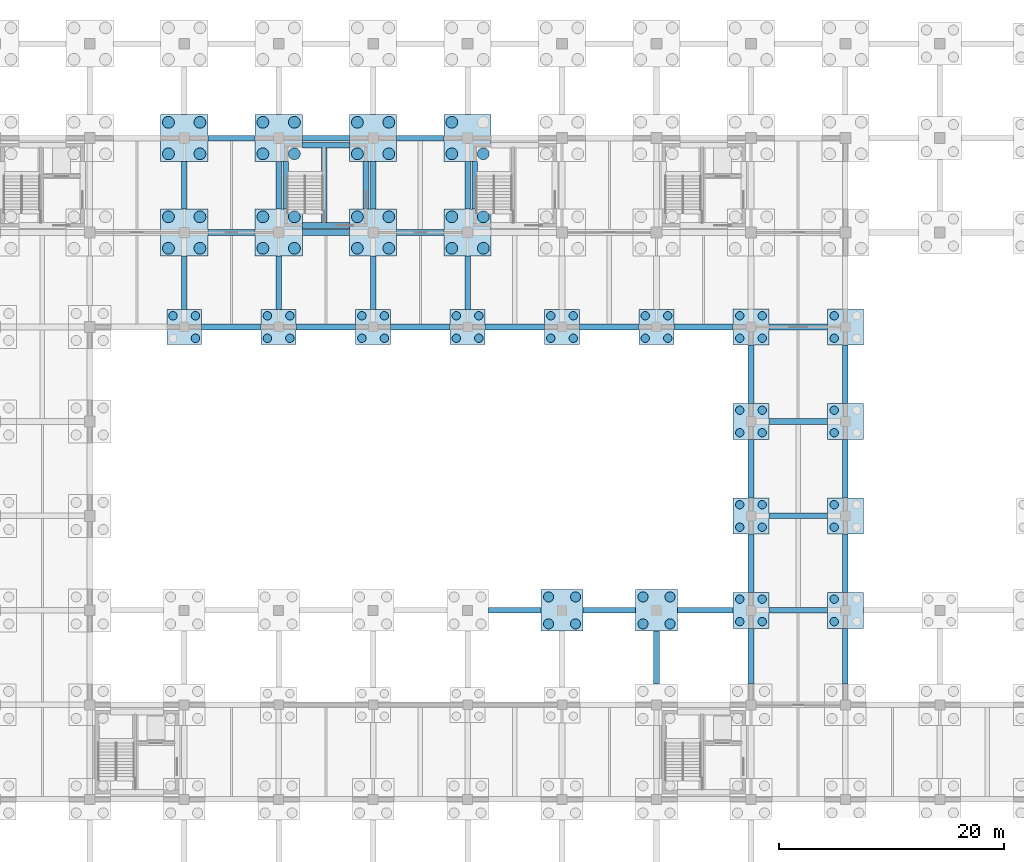
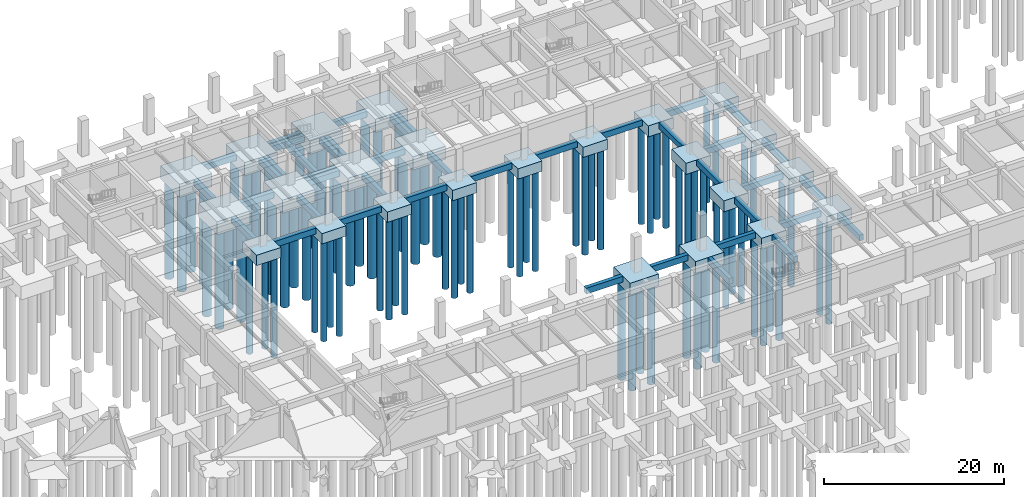
# One storey, part 7 of 29: 86 piles, 66 footings.
"""IFC4 building model written with IfcOpenShell, lengths in metres."""

from ifc_helpers import new_model, si_unit, direction, frame, origin, origin_2d, place, context, subcontext, project, spatial, rectangle, circle, extrude, material, material_profile, profile_set, type_object, element, save


model = new_model("IFC4")

# Units and contexts
model_context = context("Model", 3, precision=1e-05, world=origin(), true_north=direction((0.0, 1.0)))
body_context = subcontext(model_context, "Body", "Model", "MODEL_VIEW")
ifc_project = project(units=[si_unit("LENGTHUNIT", "METRE"), si_unit("AREAUNIT", "SQUARE_METRE"), si_unit("VOLUMEUNIT", "CUBIC_METRE"), si_unit("PLANEANGLEUNIT", "RADIAN"), si_unit("MASSUNIT", "GRAM", prefix="KILO")], contexts=[model_context])

# Site, building, storey
site_placement = place(None, origin())
site = spatial("IfcSite", under=ifc_project, at=site_placement, CompositionType="ELEMENT")
building_placement = place(site_placement, origin())
building = spatial("IfcBuilding", under=site, at=building_placement, Name="Porcellanite Civic Hall", CompositionType="ELEMENT")
storey_placement = place(building_placement, frame((0.0, 0.0, -4.5)))
storey = spatial("IfcBuildingStorey", under=building, at=storey_placement, Name="B1", CompositionType="ELEMENT", Elevation=-4.5)

# Footings
ifc_material_1 = material(Name="Concrete N40 (40 MPa)", Category="concrete")
ifc_material_profile_1 = material_profile(ifc_material_1, rectangle(XDim=0.5, YDim=0.800048828125, at=origin_2d()), Name="RC-500x800")
ifc_profile_set_1 = profile_set([ifc_material_profile_1], Name="Concrete N40 (40 MPa)")
footing_type_1 = type_object("IfcFootingType", Name="GB-01", PredefinedType="FOOTING_BEAM", material=ifc_profile_set_1)
footing_1_placement = place(storey_placement, frame((68.75, 92.39990234375, -0.75), z_axis=(1.0, 0.0, 0.0), x_axis=(0.0, 1.0, 0.0)))
element("IfcFooting", 1, at=footing_1_placement, inside=storey, type_object=footing_type_1, Name="Ground tie beam B1 8-11 X", PredefinedType="FOOTING_BEAM", context=body_context, shape_type="SweptSolid", body=[
    extrude(rectangle(XDim=0.5, YDim=0.800048828125, at=origin_2d()), origin(), (0.0, 0.0, 1.0), 5.300048828125),
])
footing_2_placement = place(storey_placement, frame((67.199951171875, 93.949951171875, -0.75), z_axis=(0.0, 1.0, 0.0), x_axis=(-1.0, 0.0, 0.0)))
element("IfcFooting", 2, at=footing_2_placement, inside=storey, type_object=footing_type_1, Name="Ground tie beam B1 8-11 Y", PredefinedType="FOOTING_BEAM", context=body_context, shape_type="SweptSolid", body=[
    extrude(rectangle(XDim=0.5, YDim=0.800048828125, at=origin_2d()), origin(), (0.0, 0.0, 1.0), 4.75),
])
footing_3_placement = place(storey_placement, frame((69.300048828125, 100.800048828125, -0.75), z_axis=(1.0, 0.0, 0.0), x_axis=(0.0, 1.0, 0.0)))
element("IfcFooting", 3, at=footing_3_placement, inside=storey, type_object=footing_type_1, Name="Ground tie beam B1 8-12 X", PredefinedType="FOOTING_BEAM", context=body_context, shape_type="SweptSolid", body=[
    extrude(rectangle(XDim=0.5, YDim=0.800048828125, at=origin_2d()), origin(), (0.0, 0.0, 1.0), 4.199951171875),
])
footing_4_placement = place(storey_placement, frame((67.199951171875, 102.89990234375, -0.75), z_axis=(0.0, 1.0, 0.0), x_axis=(-1.0, 0.0, 0.0)))
element("IfcFooting", 4, at=footing_4_placement, inside=storey, type_object=footing_type_1, Name="Ground tie beam B1 8-12 Y", PredefinedType="FOOTING_BEAM", context=body_context, shape_type="SweptSolid", body=[
    extrude(rectangle(XDim=0.5, YDim=0.800048828125, at=origin_2d()), origin(), (0.0, 0.0, 1.0), 4.2001953125),
])
footing_5_placement = place(storey_placement, frame((69.300048828125, 109.199951171875, -0.75), z_axis=(1.0, 0.0, 0.0), x_axis=(0.0, 1.0, 0.0)))
element("IfcFooting", 5, at=footing_5_placement, inside=storey, type_object=footing_type_1, Name="Ground tie beam B1 8-13 X", PredefinedType="FOOTING_BEAM", context=body_context, shape_type="SweptSolid", body=[
    extrude(rectangle(XDim=0.5, YDim=0.800048828125, at=origin_2d()), origin(), (0.0, 0.0, 1.0), 4.199951171875),
])
footing_6_placement = place(storey_placement, frame((77.14990234375, 92.39990234375, -0.75), z_axis=(1.0, 0.0, 0.0), x_axis=(0.0, 1.0, 0.0)))
element("IfcFooting", 6, at=footing_6_placement, inside=storey, type_object=footing_type_1, Name="Ground tie beam B1 9-11 X", PredefinedType="FOOTING_BEAM", context=body_context, shape_type="SweptSolid", body=[
    extrude(rectangle(XDim=0.5, YDim=0.800048828125, at=origin_2d()), origin(), (0.0, 0.0, 1.0), 5.300048828125),
])
footing_7_placement = place(storey_placement, frame((75.60009765625, 93.949951171875, -0.75), z_axis=(0.0, 1.0, 0.0), x_axis=(-1.0, 0.0, 0.0)))
element("IfcFooting", 7, at=footing_7_placement, inside=storey, type_object=footing_type_1, Name="Ground tie beam B1 9-11 Y", PredefinedType="FOOTING_BEAM", context=body_context, shape_type="SweptSolid", body=[
    extrude(rectangle(XDim=0.5, YDim=0.800048828125, at=origin_2d()), origin(), (0.0, 0.0, 1.0), 4.75),
])
footing_8_placement = place(storey_placement, frame((77.699951171875, 100.800048828125, -0.75), z_axis=(1.0, 0.0, 0.0), x_axis=(0.0, 1.0, 0.0)))
element("IfcFooting", 8, at=footing_8_placement, inside=storey, type_object=footing_type_1, Name="Ground tie beam B1 9-12 X", PredefinedType="FOOTING_BEAM", context=body_context, shape_type="SweptSolid", body=[
    extrude(rectangle(XDim=0.5, YDim=0.800048828125, at=origin_2d()), origin(), (0.0, 0.0, 1.0), 4.199951171875),
])
footing_9_placement = place(storey_placement, frame((75.60009765625, 102.89990234375, -0.75), z_axis=(0.0, 1.0, 0.0), x_axis=(-1.0, 0.0, 0.0)))
element("IfcFooting", 9, at=footing_9_placement, inside=storey, type_object=footing_type_1, Name="Ground tie beam B1 9-12 Y", PredefinedType="FOOTING_BEAM", context=body_context, shape_type="SweptSolid", body=[
    extrude(rectangle(XDim=0.5, YDim=0.800048828125, at=origin_2d()), origin(), (0.0, 0.0, 1.0), 4.2001953125),
])
footing_10_placement = place(storey_placement, frame((77.699951171875, 109.199951171875, -0.75), z_axis=(1.0, 0.0, 0.0), x_axis=(0.0, 1.0, 0.0)))
element("IfcFooting", 10, at=footing_10_placement, inside=storey, type_object=footing_type_1, Name="Ground tie beam B1 9-13 X", PredefinedType="FOOTING_BEAM", context=body_context, shape_type="SweptSolid", body=[
    extrude(rectangle(XDim=0.5, YDim=0.800048828125, at=origin_2d()), origin(), (0.0, 0.0, 1.0), 4.199951171875),
])
footing_11_placement = place(storey_placement, frame((85.550048828125, 92.39990234375, -0.75), z_axis=(1.0, 0.0, 0.0), x_axis=(0.0, 1.0, 0.0)))
element("IfcFooting", 11, at=footing_11_placement, inside=storey, type_object=footing_type_1, Name="Ground tie beam B1 10-11 X", PredefinedType="FOOTING_BEAM", context=body_context, shape_type="SweptSolid", body=[
    extrude(rectangle(XDim=0.5, YDim=0.800048828125, at=origin_2d()), origin(), (0.0, 0.0, 1.0), 5.300048828125),
])
footing_12_placement = place(storey_placement, frame((84.0, 93.949951171875, -0.75), z_axis=(0.0, 1.0, 0.0), x_axis=(-1.0, 0.0, 0.0)))
element("IfcFooting", 12, at=footing_12_placement, inside=storey, type_object=footing_type_1, Name="Ground tie beam B1 10-11 Y", PredefinedType="FOOTING_BEAM", context=body_context, shape_type="SweptSolid", body=[
    extrude(rectangle(XDim=0.5, YDim=0.800048828125, at=origin_2d()), origin(), (0.0, 0.0, 1.0), 4.75),
])
footing_13_placement = place(storey_placement, frame((86.10009765625, 100.800048828125, -0.75), z_axis=(1.0, 0.0, 0.0), x_axis=(0.0, 1.0, 0.0)))
element("IfcFooting", 13, at=footing_13_placement, inside=storey, type_object=footing_type_1, Name="Ground tie beam B1 10-12 X", PredefinedType="FOOTING_BEAM", context=body_context, shape_type="SweptSolid", body=[
    extrude(rectangle(XDim=0.5, YDim=0.800048828125, at=origin_2d()), origin(), (0.0, 0.0, 1.0), 4.199951171875),
])
footing_14_placement = place(storey_placement, frame((84.0, 102.89990234375, -0.75), z_axis=(0.0, 1.0, 0.0), x_axis=(-1.0, 0.0, 0.0)))
element("IfcFooting", 14, at=footing_14_placement, inside=storey, type_object=footing_type_1, Name="Ground tie beam B1 10-12 Y", PredefinedType="FOOTING_BEAM", context=body_context, shape_type="SweptSolid", body=[
    extrude(rectangle(XDim=0.5, YDim=0.800048828125, at=origin_2d()), origin(), (0.0, 0.0, 1.0), 4.2001953125),
])
footing_15_placement = place(storey_placement, frame((86.10009765625, 109.199951171875, -0.75), z_axis=(1.0, 0.0, 0.0), x_axis=(0.0, 1.0, 0.0)))
element("IfcFooting", 15, at=footing_15_placement, inside=storey, type_object=footing_type_1, Name="Ground tie beam B1 10-13 X", PredefinedType="FOOTING_BEAM", context=body_context, shape_type="SweptSolid", body=[
    extrude(rectangle(XDim=0.5, YDim=0.800048828125, at=origin_2d()), origin(), (0.0, 0.0, 1.0), 4.199951171875),
])
footing_16_placement = place(storey_placement, frame((94.25, 67.199951171875, -0.75), z_axis=(1.0, 0.0, 0.0), x_axis=(0.0, 1.0, 0.0)))
element("IfcFooting", 16, at=footing_16_placement, inside=storey, type_object=footing_type_1, Name="Ground tie beam B1 11-8 X", PredefinedType="FOOTING_BEAM", context=body_context, shape_type="SweptSolid", body=[
    extrude(rectangle(XDim=0.5, YDim=0.800048828125, at=origin_2d()), origin(), (0.0, 0.0, 1.0), 4.699951171875),
])
footing_17_placement = place(storey_placement, frame((93.949951171875, 92.39990234375, -0.75), z_axis=(1.0, 0.0, 0.0), x_axis=(0.0, 1.0, 0.0)))
element("IfcFooting", 17, at=footing_17_placement, inside=storey, type_object=footing_type_1, Name="Ground tie beam B1 11-11 X", PredefinedType="FOOTING_BEAM", context=body_context, shape_type="SweptSolid", body=[
    extrude(rectangle(XDim=0.5, YDim=0.800048828125, at=origin_2d()), origin(), (0.0, 0.0, 1.0), 5.300048828125),
])
footing_18_placement = place(storey_placement, frame((92.39990234375, 93.949951171875, -0.75), z_axis=(0.0, 1.0, 0.0), x_axis=(-1.0, 0.0, 0.0)))
element("IfcFooting", 18, at=footing_18_placement, inside=storey, type_object=footing_type_1, Name="Ground tie beam B1 11-11 Y", PredefinedType="FOOTING_BEAM", context=body_context, shape_type="SweptSolid", body=[
    extrude(rectangle(XDim=0.5, YDim=0.800048828125, at=origin_2d()), origin(), (0.0, 0.0, 1.0), 4.75),
])
footing_19_placement = place(storey_placement, frame((92.39990234375, 102.89990234375, -0.75), z_axis=(0.0, 1.0, 0.0), x_axis=(-1.0, 0.0, 0.0)))
element("IfcFooting", 19, at=footing_19_placement, inside=storey, type_object=footing_type_1, Name="Ground tie beam B1 11-12 Y", PredefinedType="FOOTING_BEAM", context=body_context, shape_type="SweptSolid", body=[
    extrude(rectangle(XDim=0.5, YDim=0.800048828125, at=origin_2d()), origin(), (0.0, 0.0, 1.0), 4.2001953125),
])
footing_20_placement = place(storey_placement, frame((102.64990234375, 67.199951171875, -0.75), z_axis=(1.0, 0.0, 0.0), x_axis=(0.0, 1.0, 0.0)))
element("IfcFooting", 20, at=footing_20_placement, inside=storey, type_object=footing_type_1, Name="Ground tie beam B1 12-8 X", PredefinedType="FOOTING_BEAM", context=body_context, shape_type="SweptSolid", body=[
    extrude(rectangle(XDim=0.5, YDim=0.800048828125, at=origin_2d()), origin(), (0.0, 0.0, 1.0), 4.7001953125),
])
footing_21_placement = place(storey_placement, frame((102.35009765625, 92.39990234375, -0.75), z_axis=(1.0, 0.0, 0.0), x_axis=(0.0, 1.0, 0.0)))
element("IfcFooting", 21, at=footing_21_placement, inside=storey, type_object=footing_type_1, Name="Ground tie beam B1 12-11 X", PredefinedType="FOOTING_BEAM", context=body_context, shape_type="SweptSolid", body=[
    extrude(rectangle(XDim=0.5, YDim=0.800048828125, at=origin_2d()), origin(), (0.0, 0.0, 1.0), 5.2998046875),
])
footing_22_placement = place(storey_placement, frame((109.199951171875, 60.64990234375, -0.75), z_axis=(0.0, 1.0, 0.0), x_axis=(-1.0, 0.0, 0.0)))
element("IfcFooting", 22, at=footing_22_placement, inside=storey, type_object=footing_type_1, Name="Ground tie beam B1 13-7 Y", PredefinedType="FOOTING_BEAM", context=body_context, shape_type="SweptSolid", body=[
    extrude(rectangle(XDim=0.5, YDim=0.800048828125, at=origin_2d()), origin(), (0.0, 0.0, 1.0), 4.7001953125),
])
footing_23_placement = place(storey_placement, frame((111.050048828125, 67.199951171875, -0.75), z_axis=(1.0, 0.0, 0.0), x_axis=(0.0, 1.0, 0.0)))
element("IfcFooting", 23, at=footing_23_placement, inside=storey, type_object=footing_type_1, Name="Ground tie beam B1 13-8 X", PredefinedType="FOOTING_BEAM", context=body_context, shape_type="SweptSolid", body=[
    extrude(rectangle(XDim=0.5, YDim=0.800048828125, at=origin_2d()), origin(), (0.0, 0.0, 1.0), 4.949951171875),
])
footing_24_placement = place(storey_placement, frame((110.75, 92.39990234375, -0.75), z_axis=(1.0, 0.0, 0.0), x_axis=(0.0, 1.0, 0.0)))
element("IfcFooting", 24, at=footing_24_placement, inside=storey, type_object=footing_type_1, Name="Ground tie beam B1 13-11 X", PredefinedType="FOOTING_BEAM", context=body_context, shape_type="SweptSolid", body=[
    extrude(rectangle(XDim=0.5, YDim=0.800048828125, at=origin_2d()), origin(), (0.0, 0.0, 1.0), 5.25),
])
footing_25_placement = place(storey_placement, frame((117.60009765625, 60.64990234375, -0.75), z_axis=(0.0, 1.0, 0.0), x_axis=(-1.0, 0.0, 0.0)))
element("IfcFooting", 25, at=footing_25_placement, inside=storey, type_object=footing_type_1, Name="Ground tie beam B1 14-7 Y", PredefinedType="FOOTING_BEAM", context=body_context, shape_type="SweptSolid", body=[
    extrude(rectangle(XDim=0.5, YDim=0.800048828125, at=origin_2d()), origin(), (0.0, 0.0, 1.0), 4.9501953125),
])
for number, where, z_axis, x_axis, name in (
    (26, (119.199951171875, 67.199951171875, -0.75), (1.0, 0.0, 0.0), (0.0, 1.0, 0.0), "Ground tie beam B1 14-8 X"),
    (27, (117.60009765625, 68.800048828125, -0.75), (0.0, 1.0, 0.0), (-1.0, 0.0, 0.0), "Ground tie beam B1 14-8 Y"),
    (28, (119.199951171875, 75.60009765625, -0.75), (1.0, 0.0, 0.0), (0.0, 1.0, 0.0), "Ground tie beam B1 14-9 X"),
    (29, (117.60009765625, 77.199951171875, -0.75), (0.0, 1.0, 0.0), (-1.0, 0.0, 0.0), "Ground tie beam B1 14-9 Y"),
    (30, (119.199951171875, 84.0, -0.75), (1.0, 0.0, 0.0), (0.0, 1.0, 0.0), "Ground tie beam B1 14-10 X"),
    (31, (117.60009765625, 85.60009765625, -0.75), (0.0, 1.0, 0.0), (-1.0, 0.0, 0.0), "Ground tie beam B1 14-10 Y"),
    (32, (119.199951171875, 92.39990234375, -0.75), (1.0, 0.0, 0.0), (0.0, 1.0, 0.0), "Ground tie beam B1 14-11 X"),
):
    element("IfcFooting", number, at=place(storey_placement, frame(where, z_axis=z_axis, x_axis=x_axis)), inside=storey, type_object=footing_type_1, Name=name, PredefinedType="FOOTING_BEAM", context=body_context, shape_type="SweptSolid", body=[
        extrude(rectangle(XDim=0.5, YDim=0.800048828125, at=origin_2d()), origin(), (0.0, 0.0, 1.0), 5.199951171875),
    ])
footing_26_placement = place(storey_placement, frame((126.0, 60.64990234375, -0.75), z_axis=(0.0, 1.0, 0.0), x_axis=(-1.0, 0.0, 0.0)))
element("IfcFooting", 33, at=footing_26_placement, inside=storey, type_object=footing_type_1, Name="Ground tie beam B1 15-7 Y", PredefinedType="FOOTING_BEAM", context=body_context, shape_type="SweptSolid", body=[
    extrude(rectangle(XDim=0.5, YDim=0.800048828125, at=origin_2d()), origin(), (0.0, 0.0, 1.0), 4.9501953125),
])
for number, where, z_axis, x_axis, name in (
    (34, (126.0, 68.800048828125, -0.75), (0.0, 1.0, 0.0), (-1.0, 0.0, 0.0), "Ground tie beam B1 15-8 Y"),
    (35, (126.0, 77.199951171875, -0.75), (0.0, 1.0, 0.0), (-1.0, 0.0, 0.0), "Ground tie beam B1 15-9 Y"),
    (36, (126.0, 85.60009765625, -0.75), (0.0, 1.0, 0.0), (-1.0, 0.0, 0.0), "Ground tie beam B1 15-10 Y"),
):
    element("IfcFooting", number, at=place(storey_placement, frame(where, z_axis=z_axis, x_axis=x_axis)), inside=storey, type_object=footing_type_1, Name=name, PredefinedType="FOOTING_BEAM", context=body_context, shape_type="SweptSolid", body=[
        extrude(rectangle(XDim=0.5, YDim=0.800048828125, at=origin_2d()), origin(), (0.0, 0.0, 1.0), 5.199951171875),
    ])
for number, where, z_axis, x_axis, name in (
    (37, (77.699951171875, 101.429931640625, -0.75), (1.0, 0.0, 0.0), (0.0, 1.0, 0.0), "Core strip footing S9 S"),
    (38, (77.699951171875, 108.570068359375, -0.75), (1.0, 0.0, 0.0), (0.0, 1.0, 0.0), "Core strip footing S9 N"),
):
    element("IfcFooting", number, at=place(storey_placement, frame(where, z_axis=z_axis, x_axis=x_axis)), inside=storey, type_object=footing_type_1, Name=name, PredefinedType="FOOTING_BEAM", context=body_context, shape_type="SweptSolid", body=[
        extrude(rectangle(XDim=0.5, YDim=0.800048828125, at=origin_2d()), origin(), (0.0, 0.0, 1.0), 4.199951171875),
    ])
for number, where, z_axis, x_axis, name in (
    (39, (76.22998046875, 102.89990234375, -0.75), (0.0, 1.0, 0.0), (-1.0, 0.0, 0.0), "Core strip footing S9 W"),
    (40, (83.3701171875, 102.89990234375, -0.75), (0.0, 1.0, 0.0), (-1.0, 0.0, 0.0), "Core strip footing S9 E"),
):
    element("IfcFooting", number, at=place(storey_placement, frame(where, z_axis=z_axis, x_axis=x_axis)), inside=storey, type_object=footing_type_1, Name=name, PredefinedType="FOOTING_BEAM", context=body_context, shape_type="SweptSolid", body=[
        extrude(rectangle(XDim=0.5, YDim=0.800048828125, at=origin_2d()), origin(), (0.0, 0.0, 1.0), 4.2001953125),
    ])
footing_27_placement = place(storey_placement, frame((79.639892578125, 101.679931640625, -0.75), z_axis=(0.0, 1.0, 0.0), x_axis=(-1.0, 0.0, 0.0)))
element("IfcFooting", 41, at=footing_27_placement, inside=storey, type_object=footing_type_1, Name="Core strip footing S9 DIV", PredefinedType="FOOTING_BEAM", context=body_context, shape_type="SweptSolid", body=[
    extrude(rectangle(XDim=0.5, YDim=0.800048828125, at=origin_2d()), origin(), (0.0, 0.0, 1.0), 6.64013671875),
])
footing_28_placement = place(storey_placement, frame((93.030029296875, 102.89990234375, -0.75), z_axis=(0.0, 1.0, 0.0), x_axis=(-1.0, 0.0, 0.0)))
element("IfcFooting", 42, at=footing_28_placement, inside=storey, type_object=footing_type_1, Name="Core strip footing S10 W", PredefinedType="FOOTING_BEAM", context=body_context, shape_type="SweptSolid", body=[
    extrude(rectangle(XDim=0.5, YDim=0.800048828125, at=origin_2d()), origin(), (0.0, 0.0, 1.0), 4.2001953125),
])
ifc_material_2 = material(Name="Concrete N40 (40 MPa)", Category="concrete")
footing_type_2 = type_object("IfcFootingType", Name="PC-01", PredefinedType="PILE_CAP", material=ifc_material_2)
for number, where, z_axis, x_axis, name in (
    (43, (67.199951171875, 92.39990234375, -1.75), (0.0, 0.0, 1.0), (1.0, 0.0, 0.0), "Pile cap 8-11"),
    (44, (75.60009765625, 92.39990234375, -1.75), (0.0, 0.0, 1.0), (1.0, 0.0, 0.0), "Pile cap 9-11"),
    (45, (84.0, 92.39990234375, -1.75), (0.0, 0.0, 1.0), (1.0, 0.0, 0.0), "Pile cap 10-11"),
    (46, (92.39990234375, 92.39990234375, -1.75), (0.0, 0.0, 1.0), (1.0, 0.0, 0.0), "Pile cap 11-11"),
    (47, (100.800048828125, 92.39990234375, -1.75), (0.0, 0.0, 1.0), (1.0, 0.0, 0.0), "Pile cap 12-11"),
    (48, (109.199951171875, 92.39990234375, -1.75), (0.0, 0.0, 1.0), (1.0, 0.0, 0.0), "Pile cap 13-11"),
):
    element("IfcFooting", number, at=place(storey_placement, frame(where, z_axis=z_axis, x_axis=x_axis)), inside=storey, type_object=footing_type_2, Name=name, PredefinedType="PILE_CAP", context=body_context, shape_type="SweptSolid", body=[
        extrude(rectangle(XDim=3.10009765625, YDim=3.10009765625, at=origin_2d()), origin(), (0.0, 0.0, 1.0), 1.39990234375),
    ])
ifc_material_3 = material(Name="Concrete N40 (40 MPa)", Category="concrete")
footing_type_3 = type_object("IfcFootingType", Name="PC-02", PredefinedType="PILE_CAP", material=ifc_material_3)
for number, where, z_axis, x_axis, name in (
    (49, (117.60009765625, 67.199951171875, -1.85009765625), (0.0, 0.0, 1.0), (1.0, 0.0, 0.0), "Pile cap 14-8"),
    (50, (117.60009765625, 75.60009765625, -1.85009765625), (0.0, 0.0, 1.0), (1.0, 0.0, 0.0), "Pile cap 14-9"),
    (51, (117.60009765625, 84.0, -1.85009765625), (0.0, 0.0, 1.0), (1.0, 0.0, 0.0), "Pile cap 14-10"),
    (52, (117.60009765625, 92.39990234375, -1.85009765625), (0.0, 0.0, 1.0), (1.0, 0.0, 0.0), "Pile cap 14-11"),
    (53, (126.0, 67.199951171875, -1.85009765625), (0.0, 0.0, 1.0), (1.0, 0.0, 0.0), "Pile cap 15-8"),
    (54, (126.0, 75.60009765625, -1.85009765625), (0.0, 0.0, 1.0), (1.0, 0.0, 0.0), "Pile cap 15-9"),
    (55, (126.0, 84.0, -1.85009765625), (0.0, 0.0, 1.0), (1.0, 0.0, 0.0), "Pile cap 15-10"),
    (56, (126.0, 92.39990234375, -1.85009765625), (0.0, 0.0, 1.0), (1.0, 0.0, 0.0), "Pile cap 15-11"),
):
    element("IfcFooting", number, at=place(storey_placement, frame(where, z_axis=z_axis, x_axis=x_axis)), inside=storey, type_object=footing_type_3, Name=name, PredefinedType="PILE_CAP", context=body_context, shape_type="SweptSolid", body=[
        extrude(rectangle(XDim=3.199951171875, YDim=3.199951171875, at=origin_2d()), origin(), (0.0, 0.0, 1.0), 1.5),
    ])
ifc_material_4 = material(Name="Concrete N40 (40 MPa)", Category="concrete")
footing_type_4 = type_object("IfcFootingType", Name="PC-03", PredefinedType="PILE_CAP", material=ifc_material_4)
for number, where, z_axis, x_axis, name in (
    (57, (100.800048828125, 67.199951171875, -1.949951171875), (0.0, 0.0, 1.0), (1.0, 0.0, 0.0), "Pile cap 12-8"),
    (58, (109.199951171875, 67.199951171875, -1.949951171875), (0.0, 0.0, 1.0), (1.0, 0.0, 0.0), "Pile cap 13-8"),
):
    element("IfcFooting", number, at=place(storey_placement, frame(where, z_axis=z_axis, x_axis=x_axis)), inside=storey, type_object=footing_type_4, Name=name, PredefinedType="PILE_CAP", context=body_context, shape_type="SweptSolid", body=[
        extrude(rectangle(XDim=3.699951171875, YDim=3.699951171875, at=origin_2d()), origin(), (0.0, 0.0, 1.0), 1.60009765625),
    ])
ifc_material_5 = material(Name="Concrete N40 (40 MPa)", Category="concrete")
footing_type_5 = type_object("IfcFootingType", Name="PC-05", PredefinedType="PILE_CAP", material=ifc_material_5)
for number, where, z_axis, x_axis, name in (
    (59, (67.199951171875, 100.800048828125, -2.14990234375), (0.0, 0.0, 1.0), (1.0, 0.0, 0.0), "Pile cap 8-12"),
    (60, (67.199951171875, 109.199951171875, -2.14990234375), (0.0, 0.0, 1.0), (1.0, 0.0, 0.0), "Pile cap 8-13"),
    (61, (75.60009765625, 100.800048828125, -2.14990234375), (0.0, 0.0, 1.0), (1.0, 0.0, 0.0), "Pile cap 9-12"),
    (62, (75.60009765625, 109.199951171875, -2.14990234375), (0.0, 0.0, 1.0), (1.0, 0.0, 0.0), "Pile cap 9-13"),
    (63, (84.0, 100.800048828125, -2.14990234375), (0.0, 0.0, 1.0), (1.0, 0.0, 0.0), "Pile cap 10-12"),
    (64, (84.0, 109.199951171875, -2.14990234375), (0.0, 0.0, 1.0), (1.0, 0.0, 0.0), "Pile cap 10-13"),
    (65, (92.39990234375, 100.800048828125, -2.14990234375), (0.0, 0.0, 1.0), (1.0, 0.0, 0.0), "Pile cap 11-12"),
    (66, (92.39990234375, 109.199951171875, -2.14990234375), (0.0, 0.0, 1.0), (1.0, 0.0, 0.0), "Pile cap 11-13"),
):
    element("IfcFooting", number, at=place(storey_placement, frame(where, z_axis=z_axis, x_axis=x_axis)), inside=storey, type_object=footing_type_5, Name=name, PredefinedType="PILE_CAP", context=body_context, shape_type="SweptSolid", body=[
        extrude(rectangle(XDim=4.199951171875, YDim=4.199951171875, at=origin_2d()), origin(), (0.0, 0.0, 1.0), 1.800048828125),
    ])

# Piles
ifc_material_6 = material(Name="Concrete N40 (40 MPa)", Category="concrete")
ifc_material_profile_2 = material_profile(ifc_material_6, circle(Radius=0.52490234375, at=origin_2d()), Name="PILE-D1050")
ifc_profile_set_2 = profile_set([ifc_material_profile_2], Name="Concrete N40 (40 MPa)")
pile_type_1 = type_object("IfcPileType", Name="PL-1050", PredefinedType="BORED", material=ifc_profile_set_2)
for number, where, z_axis, x_axis, name in (
    (67, (65.800048828125, 99.39990234375, -2.14990234375), (0.0, 0.0, -1.0), (1.0, 0.0, 0.0), "Bored pile 8-12-1"),
    (68, (65.800048828125, 102.199951171875, -2.14990234375), (0.0, 0.0, -1.0), (1.0, 0.0, 0.0), "Bored pile 8-12-2"),
    (69, (68.60009765625, 99.39990234375, -2.14990234375), (0.0, 0.0, -1.0), (1.0, 0.0, 0.0), "Bored pile 8-12-3"),
    (70, (68.60009765625, 102.199951171875, -2.14990234375), (0.0, 0.0, -1.0), (1.0, 0.0, 0.0), "Bored pile 8-12-4"),
    (71, (65.800048828125, 107.800048828125, -2.14990234375), (0.0, 0.0, -1.0), (1.0, 0.0, 0.0), "Bored pile 8-13-1"),
    (72, (65.800048828125, 110.60009765625, -2.14990234375), (0.0, 0.0, -1.0), (1.0, 0.0, 0.0), "Bored pile 8-13-2"),
    (73, (68.60009765625, 107.800048828125, -2.14990234375), (0.0, 0.0, -1.0), (1.0, 0.0, 0.0), "Bored pile 8-13-3"),
    (74, (68.60009765625, 110.60009765625, -2.14990234375), (0.0, 0.0, -1.0), (1.0, 0.0, 0.0), "Bored pile 8-13-4"),
    (75, (74.199951171875, 99.39990234375, -2.14990234375), (0.0, 0.0, -1.0), (1.0, 0.0, 0.0), "Bored pile 9-12-1"),
    (76, (74.199951171875, 102.199951171875, -2.14990234375), (0.0, 0.0, -1.0), (1.0, 0.0, 0.0), "Bored pile 9-12-2"),
    (77, (77.0, 99.39990234375, -2.14990234375), (0.0, 0.0, -1.0), (1.0, 0.0, 0.0), "Bored pile 9-12-3"),
    (78, (77.0, 102.199951171875, -2.14990234375), (0.0, 0.0, -1.0), (1.0, 0.0, 0.0), "Bored pile 9-12-4"),
    (79, (74.199951171875, 107.800048828125, -2.14990234375), (0.0, 0.0, -1.0), (1.0, 0.0, 0.0), "Bored pile 9-13-1"),
    (80, (74.199951171875, 110.60009765625, -2.14990234375), (0.0, 0.0, -1.0), (1.0, 0.0, 0.0), "Bored pile 9-13-2"),
    (81, (77.0, 107.800048828125, -2.14990234375), (0.0, 0.0, -1.0), (1.0, 0.0, 0.0), "Bored pile 9-13-3"),
    (82, (77.0, 110.60009765625, -2.14990234375), (0.0, 0.0, -1.0), (1.0, 0.0, 0.0), "Bored pile 9-13-4"),
    (83, (82.60009765625, 99.39990234375, -2.14990234375), (0.0, 0.0, -1.0), (1.0, 0.0, 0.0), "Bored pile 10-12-1"),
    (84, (82.60009765625, 102.199951171875, -2.14990234375), (0.0, 0.0, -1.0), (1.0, 0.0, 0.0), "Bored pile 10-12-2"),
    (85, (85.39990234375, 99.39990234375, -2.14990234375), (0.0, 0.0, -1.0), (1.0, 0.0, 0.0), "Bored pile 10-12-3"),
    (86, (85.39990234375, 102.199951171875, -2.14990234375), (0.0, 0.0, -1.0), (1.0, 0.0, 0.0), "Bored pile 10-12-4"),
    (87, (82.60009765625, 107.800048828125, -2.14990234375), (0.0, 0.0, -1.0), (1.0, 0.0, 0.0), "Bored pile 10-13-1"),
    (88, (82.60009765625, 110.60009765625, -2.14990234375), (0.0, 0.0, -1.0), (1.0, 0.0, 0.0), "Bored pile 10-13-2"),
    (89, (85.39990234375, 107.800048828125, -2.14990234375), (0.0, 0.0, -1.0), (1.0, 0.0, 0.0), "Bored pile 10-13-3"),
    (90, (85.39990234375, 110.60009765625, -2.14990234375), (0.0, 0.0, -1.0), (1.0, 0.0, 0.0), "Bored pile 10-13-4"),
    (91, (91.0, 99.39990234375, -2.14990234375), (0.0, 0.0, -1.0), (1.0, 0.0, 0.0), "Bored pile 11-12-1"),
    (92, (91.0, 102.199951171875, -2.14990234375), (0.0, 0.0, -1.0), (1.0, 0.0, 0.0), "Bored pile 11-12-2"),
    (93, (93.800048828125, 99.39990234375, -2.14990234375), (0.0, 0.0, -1.0), (1.0, 0.0, 0.0), "Bored pile 11-12-3"),
    (94, (93.800048828125, 102.199951171875, -2.14990234375), (0.0, 0.0, -1.0), (1.0, 0.0, 0.0), "Bored pile 11-12-4"),
    (95, (91.0, 107.800048828125, -2.14990234375), (0.0, 0.0, -1.0), (1.0, 0.0, 0.0), "Bored pile 11-13-1"),
    (96, (91.0, 110.60009765625, -2.14990234375), (0.0, 0.0, -1.0), (1.0, 0.0, 0.0), "Bored pile 11-13-2"),
    (97, (93.800048828125, 107.800048828125, -2.14990234375), (0.0, 0.0, -1.0), (1.0, 0.0, 0.0), "Bored pile 11-13-3"),
):
    element("IfcPile", number, at=place(storey_placement, frame(where, z_axis=z_axis, x_axis=x_axis)), inside=storey, type_object=pile_type_1, Name=name, PredefinedType="BORED", context=body_context, shape_type="SweptSolid", body=[
        extrude(circle(Radius=0.52490234375, at=origin_2d()), origin(), (0.0, 0.0, 1.0), 13.14990234375),
    ])
ifc_material_7 = material(Name="Concrete N40 (40 MPa)", Category="concrete")
ifc_material_profile_3 = material_profile(ifc_material_7, circle(Radius=0.375, at=origin_2d()), Name="PILE-D750")
ifc_profile_set_3 = profile_set([ifc_material_profile_3], Name="Concrete N40 (40 MPa)")
pile_type_2 = type_object("IfcPileType", Name="PL-750", PredefinedType="BORED", material=ifc_profile_set_3)
for number, where, z_axis, x_axis, name in (
    (98, (66.199951171875, 93.39990234375, -1.75), (0.0, 0.0, -1.0), (1.0, 0.0, 0.0), "Bored pile 8-11-2"),
    (99, (68.199951171875, 91.39990234375, -1.75), (0.0, 0.0, -1.0), (1.0, 0.0, 0.0), "Bored pile 8-11-3"),
    (100, (68.199951171875, 93.39990234375, -1.75), (0.0, 0.0, -1.0), (1.0, 0.0, 0.0), "Bored pile 8-11-4"),
    (101, (74.60009765625, 91.39990234375, -1.75), (0.0, 0.0, -1.0), (1.0, 0.0, 0.0), "Bored pile 9-11-1"),
    (102, (74.60009765625, 93.39990234375, -1.75), (0.0, 0.0, -1.0), (1.0, 0.0, 0.0), "Bored pile 9-11-2"),
    (103, (76.60009765625, 91.39990234375, -1.75), (0.0, 0.0, -1.0), (1.0, 0.0, 0.0), "Bored pile 9-11-3"),
    (104, (76.60009765625, 93.39990234375, -1.75), (0.0, 0.0, -1.0), (1.0, 0.0, 0.0), "Bored pile 9-11-4"),
    (105, (83.0, 91.39990234375, -1.75), (0.0, 0.0, -1.0), (1.0, 0.0, 0.0), "Bored pile 10-11-1"),
    (106, (83.0, 93.39990234375, -1.75), (0.0, 0.0, -1.0), (1.0, 0.0, 0.0), "Bored pile 10-11-2"),
    (107, (85.0, 91.39990234375, -1.75), (0.0, 0.0, -1.0), (1.0, 0.0, 0.0), "Bored pile 10-11-3"),
    (108, (85.0, 93.39990234375, -1.75), (0.0, 0.0, -1.0), (1.0, 0.0, 0.0), "Bored pile 10-11-4"),
    (109, (91.39990234375, 91.39990234375, -1.75), (0.0, 0.0, -1.0), (1.0, 0.0, 0.0), "Bored pile 11-11-1"),
    (110, (91.39990234375, 93.39990234375, -1.75), (0.0, 0.0, -1.0), (1.0, 0.0, 0.0), "Bored pile 11-11-2"),
    (111, (93.39990234375, 91.39990234375, -1.75), (0.0, 0.0, -1.0), (1.0, 0.0, 0.0), "Bored pile 11-11-3"),
    (112, (93.39990234375, 93.39990234375, -1.75), (0.0, 0.0, -1.0), (1.0, 0.0, 0.0), "Bored pile 11-11-4"),
    (113, (99.800048828125, 91.39990234375, -1.75), (0.0, 0.0, -1.0), (1.0, 0.0, 0.0), "Bored pile 12-11-1"),
    (114, (99.800048828125, 93.39990234375, -1.75), (0.0, 0.0, -1.0), (1.0, 0.0, 0.0), "Bored pile 12-11-2"),
    (115, (101.800048828125, 91.39990234375, -1.75), (0.0, 0.0, -1.0), (1.0, 0.0, 0.0), "Bored pile 12-11-3"),
    (116, (101.800048828125, 93.39990234375, -1.75), (0.0, 0.0, -1.0), (1.0, 0.0, 0.0), "Bored pile 12-11-4"),
    (117, (108.199951171875, 91.39990234375, -1.75), (0.0, 0.0, -1.0), (1.0, 0.0, 0.0), "Bored pile 13-11-1"),
    (118, (108.199951171875, 93.39990234375, -1.75), (0.0, 0.0, -1.0), (1.0, 0.0, 0.0), "Bored pile 13-11-2"),
    (119, (110.199951171875, 91.39990234375, -1.75), (0.0, 0.0, -1.0), (1.0, 0.0, 0.0), "Bored pile 13-11-3"),
    (120, (110.199951171875, 93.39990234375, -1.75), (0.0, 0.0, -1.0), (1.0, 0.0, 0.0), "Bored pile 13-11-4"),
):
    element("IfcPile", number, at=place(storey_placement, frame(where, z_axis=z_axis, x_axis=x_axis)), inside=storey, type_object=pile_type_2, Name=name, PredefinedType="BORED", context=body_context, shape_type="SweptSolid", body=[
        extrude(circle(Radius=0.375, at=origin_2d()), origin(), (0.0, 0.0, 1.0), 13.550048828125),
    ])
for number, where, z_axis, x_axis, name in (
    (121, (116.60009765625, 66.199951171875, -1.85009765625), (0.0, 0.0, -1.0), (1.0, 0.0, 0.0), "Bored pile 14-8-1"),
    (122, (116.60009765625, 68.199951171875, -1.85009765625), (0.0, 0.0, -1.0), (1.0, 0.0, 0.0), "Bored pile 14-8-2"),
    (123, (118.60009765625, 66.199951171875, -1.85009765625), (0.0, 0.0, -1.0), (1.0, 0.0, 0.0), "Bored pile 14-8-3"),
    (124, (118.60009765625, 68.199951171875, -1.85009765625), (0.0, 0.0, -1.0), (1.0, 0.0, 0.0), "Bored pile 14-8-4"),
    (125, (116.60009765625, 74.60009765625, -1.85009765625), (0.0, 0.0, -1.0), (1.0, 0.0, 0.0), "Bored pile 14-9-1"),
    (126, (116.60009765625, 76.60009765625, -1.85009765625), (0.0, 0.0, -1.0), (1.0, 0.0, 0.0), "Bored pile 14-9-2"),
    (127, (118.60009765625, 74.60009765625, -1.85009765625), (0.0, 0.0, -1.0), (1.0, 0.0, 0.0), "Bored pile 14-9-3"),
    (128, (118.60009765625, 76.60009765625, -1.85009765625), (0.0, 0.0, -1.0), (1.0, 0.0, 0.0), "Bored pile 14-9-4"),
    (129, (116.60009765625, 83.0, -1.85009765625), (0.0, 0.0, -1.0), (1.0, 0.0, 0.0), "Bored pile 14-10-1"),
    (130, (116.60009765625, 85.0, -1.85009765625), (0.0, 0.0, -1.0), (1.0, 0.0, 0.0), "Bored pile 14-10-2"),
    (131, (118.60009765625, 83.0, -1.85009765625), (0.0, 0.0, -1.0), (1.0, 0.0, 0.0), "Bored pile 14-10-3"),
    (132, (118.60009765625, 85.0, -1.85009765625), (0.0, 0.0, -1.0), (1.0, 0.0, 0.0), "Bored pile 14-10-4"),
    (133, (116.60009765625, 91.39990234375, -1.85009765625), (0.0, 0.0, -1.0), (1.0, 0.0, 0.0), "Bored pile 14-11-1"),
    (134, (116.60009765625, 93.39990234375, -1.85009765625), (0.0, 0.0, -1.0), (1.0, 0.0, 0.0), "Bored pile 14-11-2"),
    (135, (118.60009765625, 91.39990234375, -1.85009765625), (0.0, 0.0, -1.0), (1.0, 0.0, 0.0), "Bored pile 14-11-3"),
    (136, (118.60009765625, 93.39990234375, -1.85009765625), (0.0, 0.0, -1.0), (1.0, 0.0, 0.0), "Bored pile 14-11-4"),
    (137, (125.0, 66.199951171875, -1.85009765625), (0.0, 0.0, -1.0), (1.0, 0.0, 0.0), "Bored pile 15-8-1"),
    (138, (125.0, 68.199951171875, -1.85009765625), (0.0, 0.0, -1.0), (1.0, 0.0, 0.0), "Bored pile 15-8-2"),
    (139, (125.0, 74.60009765625, -1.85009765625), (0.0, 0.0, -1.0), (1.0, 0.0, 0.0), "Bored pile 15-9-1"),
    (140, (125.0, 76.60009765625, -1.85009765625), (0.0, 0.0, -1.0), (1.0, 0.0, 0.0), "Bored pile 15-9-2"),
    (141, (125.0, 83.0, -1.85009765625), (0.0, 0.0, -1.0), (1.0, 0.0, 0.0), "Bored pile 15-10-1"),
    (142, (125.0, 85.0, -1.85009765625), (0.0, 0.0, -1.0), (1.0, 0.0, 0.0), "Bored pile 15-10-2"),
    (143, (125.0, 91.39990234375, -1.85009765625), (0.0, 0.0, -1.0), (1.0, 0.0, 0.0), "Bored pile 15-11-1"),
    (144, (125.0, 93.39990234375, -1.85009765625), (0.0, 0.0, -1.0), (1.0, 0.0, 0.0), "Bored pile 15-11-2"),
):
    element("IfcPile", number, at=place(storey_placement, frame(where, z_axis=z_axis, x_axis=x_axis)), inside=storey, type_object=pile_type_2, Name=name, PredefinedType="BORED", context=body_context, shape_type="SweptSolid", body=[
        extrude(circle(Radius=0.375, at=origin_2d()), origin(), (0.0, 0.0, 1.0), 13.449951171875),
    ])
ifc_material_8 = material(Name="Concrete N40 (40 MPa)", Category="concrete")
ifc_material_profile_4 = material_profile(ifc_material_8, circle(Radius=0.449951171875, at=origin_2d()), Name="PILE-D900")
ifc_profile_set_4 = profile_set([ifc_material_profile_4], Name="Concrete N40 (40 MPa)")
pile_type_3 = type_object("IfcPileType", Name="PL-900", PredefinedType="BORED", material=ifc_profile_set_4)
for number, where, z_axis, x_axis, name in (
    (145, (99.60009765625, 66.0, -1.949951171875), (0.0, 0.0, -1.0), (1.0, 0.0, 0.0), "Bored pile 12-8-1"),
    (146, (99.60009765625, 68.39990234375, -1.949951171875), (0.0, 0.0, -1.0), (1.0, 0.0, 0.0), "Bored pile 12-8-2"),
    (147, (102.0, 66.0, -1.949951171875), (0.0, 0.0, -1.0), (1.0, 0.0, 0.0), "Bored pile 12-8-3"),
    (148, (102.0, 68.39990234375, -1.949951171875), (0.0, 0.0, -1.0), (1.0, 0.0, 0.0), "Bored pile 12-8-4"),
    (149, (108.0, 66.0, -1.949951171875), (0.0, 0.0, -1.0), (1.0, 0.0, 0.0), "Bored pile 13-8-1"),
    (150, (108.0, 68.39990234375, -1.949951171875), (0.0, 0.0, -1.0), (1.0, 0.0, 0.0), "Bored pile 13-8-2"),
    (151, (110.39990234375, 66.0, -1.949951171875), (0.0, 0.0, -1.0), (1.0, 0.0, 0.0), "Bored pile 13-8-3"),
    (152, (110.39990234375, 68.39990234375, -1.949951171875), (0.0, 0.0, -1.0), (1.0, 0.0, 0.0), "Bored pile 13-8-4"),
):
    element("IfcPile", number, at=place(storey_placement, frame(where, z_axis=z_axis, x_axis=x_axis)), inside=storey, type_object=pile_type_3, Name=name, PredefinedType="BORED", context=body_context, shape_type="SweptSolid", body=[
        extrude(circle(Radius=0.449951171875, at=origin_2d()), origin(), (0.0, 0.0, 1.0), 13.35009765625),
    ])

save(model, "model.ifc")
